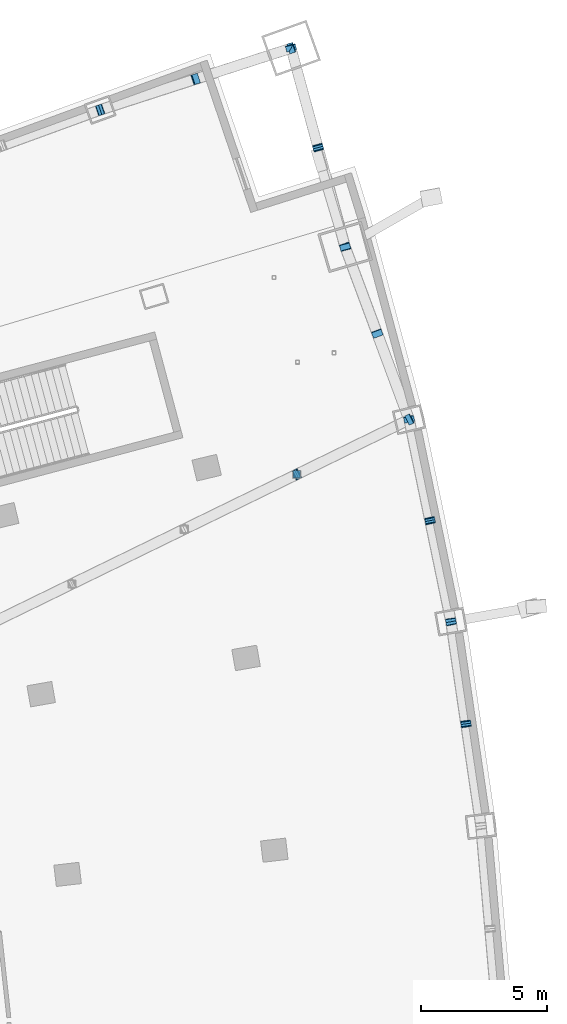
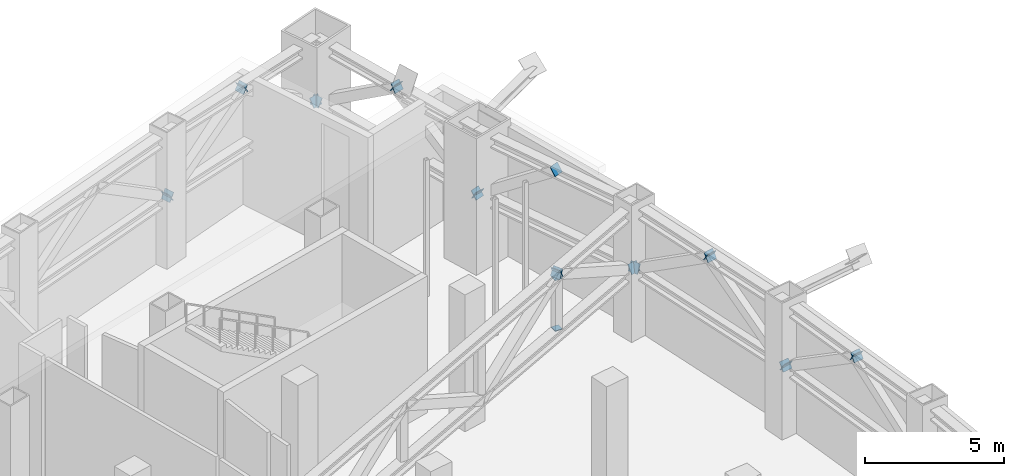
# One storey, part 25 of 26: 23 discrete accessories.
"""IFC4 building model written with IfcOpenShell, lengths in metres."""

import ifcopenshell
import ifcopenshell.guid

model = None  # the IFC model being written
_history = None  # IfcOwnerHistory: only IFC2X3 demands one
_inside = {}  # id of a spatial element -> (the spatial element, [elements in it])
_under = {}  # id of a project, library or spatial element -> (it, [spatial elements below it])
_declared = {}  # id of a project -> (the project, [libraries it declares])
_typed = {}  # id of a type object -> (the type object, [elements of that type])
_made_of = {}  # id of a material, layer set ... -> (it, [elements and type objects made of it])


def new_model(schema):
    """Start an empty IFC model of exactly this schema.

    Asked for "IFC4X3", IfcOpenShell would pick the latest addendum, in which some entities
    have other attributes; the version numbers below select the first issue.
    IFC2X3 requires an IfcOwnerHistory on every rooted entity: one is made here for all.
    """
    global model, _history
    if schema == "IFC4X3":
        model = ifcopenshell.file(schema_version=(4, 3, 0, 0))
    else:
        model = ifcopenshell.file(schema=schema)
    _inside.clear()
    _under.clear()
    _declared.clear()
    _typed.clear()
    _made_of.clear()
    _history = None
    if model.schema == "IFC2X3":
        org = make("IfcOrganization", Name="unknown")
        user = make(
            "IfcPersonAndOrganization",
            ThePerson=make("IfcPerson", FamilyName="unknown"),
            TheOrganization=org,
        )
        app = make(
            "IfcApplication",
            ApplicationDeveloper=org,
            Version="unknown",
            ApplicationFullName="unknown",
            ApplicationIdentifier="unknown",
        )
        _history = make(
            "IfcOwnerHistory",
            OwningUser=user,
            OwningApplication=app,
            ChangeAction="ADDED",
            CreationDate=0,
        )
    return model


def make(cls, **values):
    """One entity of the class cls with the attributes given. An attribute that is None is left unset."""
    return model.create_entity(
        cls, **{name: value for name, value in values.items() if value is not None}
    )


def rooted(cls, **values):
    """An entity with a GlobalId (a new one), such as an element, a storey or a relation."""
    return make(cls, GlobalId=ifcopenshell.guid.new(), OwnerHistory=_history, **values)


def si_unit(unit_type, name, prefix=None):
    """IfcSIUnit, for example si_unit("LENGTHUNIT", "METRE", prefix="MILLI")."""
    return make("IfcSIUnit", UnitType=unit_type, Prefix=prefix, Name=name)


def assignment(units):
    """IfcUnitAssignment: the units of a project."""
    return None if units is None else make("IfcUnitAssignment", Units=units)


def point(xyz):
    """IfcCartesianPoint."""
    return None if xyz is None else make("IfcCartesianPoint", Coordinates=xyz)


def direction(xyz):
    """IfcDirection."""
    return None if xyz is None else make("IfcDirection", DirectionRatios=xyz)


def frame(location, z_axis=None, x_axis=None):
    """IfcAxis2Placement3D, a coordinate frame: its origin and axes. An axis left out is left unset."""
    return make(
        "IfcAxis2Placement3D",
        Location=point(location),
        Axis=direction(z_axis),
        RefDirection=direction(x_axis),
    )


def frame_2d(location, x_axis=None):
    """IfcAxis2Placement2D, a coordinate frame in the plane: its origin and x axis."""
    return make(
        "IfcAxis2Placement2D", Location=point(location), RefDirection=direction(x_axis)
    )


def origin():
    """The frame at (0, 0, 0) with its axes left unset."""
    return frame((0.0, 0.0, 0.0))


def origin_2d():
    """The frame at (0, 0) in the plane with its x axis left unset."""
    return frame_2d((0.0, 0.0))


def place(relative_to, where):
    """IfcLocalPlacement: puts the frame where relative to a parent placement (None: the world)."""
    return make(
        "IfcLocalPlacement", PlacementRelTo=relative_to, RelativePlacement=where
    )


def context(
    kind, dimensions, precision=None, world=None, true_north=None, identifier=None
):
    """IfcGeometricRepresentationContext, for example the 3D "Model" context."""
    return make(
        "IfcGeometricRepresentationContext",
        ContextIdentifier=identifier,
        ContextType=kind,
        CoordinateSpaceDimension=dimensions,
        Precision=precision,
        WorldCoordinateSystem=world,
        TrueNorth=true_north,
    )


def subcontext(parent, identifier, kind, view, scale=None):
    """IfcGeometricRepresentationSubContext, for example "Body" below "Model"."""
    return make(
        "IfcGeometricRepresentationSubContext",
        ContextIdentifier=identifier,
        ContextType=kind,
        ParentContext=parent,
        TargetScale=scale,
        TargetView=view,
    )


def project(units=None, contexts=None):
    """IfcProject with its units and contexts."""
    return rooted(
        "IfcProject",
        Name="project",
        RepresentationContexts=contexts,
        UnitsInContext=assignment(units),
    )


def spatial(cls, under=None, at=None, **own):
    """A site, building, storey or space (cls), placed at a placement, below another one or the project."""
    s = rooted(cls, ObjectPlacement=at, **own)
    if under is not None:
        _under.setdefault(under.id(), (under, []))[1].append(s)
    return s


def profile(cls, at=None, kind="AREA", **sizes):
    """A parametric profile (cls). Its sizes go by their IFC names, for example OverallWidth=200.0."""
    return make(cls, ProfileType=kind, Position=at, **sizes)


def rectangle(**sizes):
    """IfcRectangleProfileDef."""
    return profile("IfcRectangleProfileDef", **sizes)


def extrude(swept, where, along, depth):
    """IfcExtrudedAreaSolid: the profile swept, set in the frame where, extruded along a direction by depth."""
    return make(
        "IfcExtrudedAreaSolid",
        SweptArea=swept,
        Position=where,
        ExtrudedDirection=direction(along),
        Depth=depth,
    )


def shape(context_of_items, identifier, shape_type, items):
    """IfcShapeRepresentation: the items that make up one representation, for example the "Body"."""
    return make(
        "IfcShapeRepresentation",
        ContextOfItems=context_of_items,
        RepresentationIdentifier=identifier,
        RepresentationType=shape_type,
        Items=items,
    )


def material(Name=None, Category=None):
    """IfcMaterial."""
    return make("IfcMaterial", Name=Name, Category=Category)


def material_profile(
    of_material, cross_section, Name=None, Category=None, Priority=None
):
    """IfcMaterialProfile: a cross section and its material."""
    return make(
        "IfcMaterialProfile",
        Name=Name,
        Material=of_material,
        Profile=cross_section,
        Priority=Priority,
        Category=Category,
    )


def profile_set(profiles, Name=None, composite=None):
    """IfcMaterialProfileSet."""
    return make(
        "IfcMaterialProfileSet",
        Name=Name,
        MaterialProfiles=profiles,
        CompositeProfile=composite,
    )


def made_of(thing, what):
    """Note that an element or type object is made of a material, layer set ...; save() writes the relation."""
    if what is not None:
        _made_of.setdefault(what.id(), (what, []))[1].append(thing)
    return thing


def type_object(cls, material=None, **own):
    """A type object (cls), such as IfcWallType, which elements share."""
    return made_of(rooted(cls, **own), material)


def element(
    cls,
    number,
    at=None,
    inside=None,
    cuts=None,
    type_object=None,
    material=None,
    context=None,
    identifier="Body",
    shape_type=None,
    held_by="IfcProductDefinitionShape",
    body=None,
    shapes=None,
    **own,
):
    """One element of the class cls, such as IfcWall. Its Tag is "e" and its number.

    at: its placement. inside: the storey or other place that contains it. cuts: it is an
    opening in that element (IfcRelVoidsElement). A single representation is given by context,
    identifier, shape_type and body (its items); several are given by shapes. held_by: the class
    of the entity that holds the representations. save() writes the other relations.
    """
    e = rooted(cls, Tag="e%d" % number, ObjectPlacement=at, **own)
    if body is not None:
        shapes = [shape(context, identifier, shape_type, body)]
    if shapes is not None:
        e.Representation = make(held_by, Representations=shapes)
    if inside is not None:
        _inside.setdefault(inside.id(), (inside, []))[1].append(e)
    if cuts is not None:
        rooted(
            "IfcRelVoidsElement", RelatingBuildingElement=cuts, RelatedOpeningElement=e
        )
    if type_object is not None:
        _typed.setdefault(type_object.id(), (type_object, []))[1].append(e)
    return made_of(e, material)


def aggregate(whole, parts):
    """IfcRelAggregates: a whole, such as a stair, and the parts it consists of."""
    return rooted("IfcRelAggregates", RelatingObject=whole, RelatedObjects=parts)


def save(model, path):
    """Write the relations noted so far, then the file.

    IfcRelAggregates (storeys below a building ...), IfcRelContainedInSpatialStructure (elements
    in a storey), IfcRelDefinesByType, IfcRelAssociatesMaterial and IfcRelDeclares: one each for
    every whole, place, type object, material and project.
    """
    for whole, parts in _under.values():
        aggregate(whole, parts)
    for where, things in _inside.values():
        rooted(
            "IfcRelContainedInSpatialStructure",
            RelatedElements=things,
            RelatingStructure=where,
        )
    for kind, things in _typed.values():
        rooted("IfcRelDefinesByType", RelatedObjects=things, RelatingType=kind)
    for what, things in _made_of.values():
        rooted("IfcRelAssociatesMaterial", RelatedObjects=things, RelatingMaterial=what)
    for by, libraries in _declared.values():
        rooted("IfcRelDeclares", RelatingContext=by, RelatedDefinitions=libraries)
    model.write(path)


model = new_model("IFC4")

# Units and contexts
model_context = context("Model", 3, precision=1e-05, world=origin(), true_north=direction((0.0, 1.0)))
body_context = subcontext(model_context, "Body", "Model", "MODEL_VIEW")
ifc_project = project(units=[si_unit("LENGTHUNIT", "METRE"), si_unit("AREAUNIT", "SQUARE_METRE"), si_unit("VOLUMEUNIT", "CUBIC_METRE"), si_unit("PLANEANGLEUNIT", "RADIAN"), si_unit("MASSUNIT", "GRAM", prefix="KILO")], contexts=[model_context])

# Site, building, storey
site_placement = place(None, origin())
site = spatial("IfcSite", under=ifc_project, at=site_placement, CompositionType="ELEMENT")
building_placement = place(site_placement, origin())
building = spatial("IfcBuilding", under=site, at=building_placement, Name="Alderwake Tower", CompositionType="ELEMENT")
storey_placement = place(building_placement, frame((0.0, 0.0, 132.800048828125)))
storey = spatial("IfcBuildingStorey", under=building, at=storey_placement, Name="L32", CompositionType="ELEMENT", Elevation=132.800048828125)

# Discrete accessories
ifc_material_1 = material(Name="Steel ASTM A572 Grade 50", Category="steel")
ifc_material_profile_1 = material_profile(ifc_material_1, rectangle(XDim=0.3046875, YDim=0.3046875, at=origin_2d()), Name="HSS12X12X1/2 cap")
ifc_profile_set_1 = profile_set([ifc_material_profile_1], Name="Steel ASTM A572 Grade 50")
discrete_accessory_type_1 = type_object("IfcDiscreteAccessoryType", Name="End cap plate HSS12X12X1/2", PredefinedType="USERDEFINED", material=ifc_profile_set_1)
for number, where, z_axis, x_axis, name in (
    (1, (52.323974609375, 91.332763671875, 3.0146484375), (0.0, 0.0, -1.0), (1.0, 0.0, 0.0), "End cap OR32NF.P5 S"),
    (2, (52.323974609375, 91.332763671875, 5.21533203125), (0.0, 0.0, 1.0), (1.0, 0.0, 0.0), "End cap OR32NF.P5 N"),
):
    element("IfcDiscreteAccessory", number, at=place(storey_placement, frame(where, z_axis=z_axis, x_axis=x_axis)), inside=storey, type_object=discrete_accessory_type_1, Name=name, ObjectType="END CAP", PredefinedType="USERDEFINED", context=body_context, shape_type="SweptSolid", body=[
        extrude(rectangle(XDim=0.3046875, YDim=0.3046875, at=origin_2d()), origin(), (0.0, 0.0, 1.0), 0.030029296875),
    ])
ifc_material_2 = material(Name="Steel ASTM A572 Grade 50", Category="steel")
ifc_material_profile_2 = material_profile(ifc_material_2, rectangle(XDim=0.406494140625, YDim=0.406494140625, at=origin_2d()), Name="HSS16X16X5/8 cap")
ifc_profile_set_2 = profile_set([ifc_material_profile_2], Name="Steel ASTM A572 Grade 50")
discrete_accessory_type_2 = type_object("IfcDiscreteAccessoryType", Name="End cap plate HSS16X16X5/8", PredefinedType="USERDEFINED", material=ifc_profile_set_2)
for number, where, z_axis, x_axis, name in (
    (3, (59.04833984375, 81.4228515625, 5.44775390625), (-0.121995577876, 0.829569929557, 0.544913581179), (-0.989359135365, -0.145493990495, 0.0), "End cap BT32F09.D1 N"),
    (4, (58.45263671875, 85.4794921875, 2.7822265625), (-0.121995577876, 0.829569929557, -0.544913581179), (-0.989359135365, -0.145493990495, 0.0), "End cap BT32F09.D2 S"),
    (5, (59.04833984375, 81.4228515625, 5.44775390625), (0.121995577876, -0.829569929557, 0.544913581179), (0.989359135365, 0.145493990495, 0.0), "End cap BT32F09.D2 N"),
):
    element("IfcDiscreteAccessory", number, at=place(storey_placement, frame(where, z_axis=z_axis, x_axis=x_axis)), inside=storey, type_object=discrete_accessory_type_2, Name=name, ObjectType="END CAP", PredefinedType="USERDEFINED", context=body_context, shape_type="SweptSolid", body=[
        extrude(rectangle(XDim=0.406494140625, YDim=0.406494140625, at=origin_2d()), origin(), (0.0, 0.0, 1.0), 0.030029296875),
    ])
discrete_accessory_1_placement = place(storey_placement, frame((58.45263671875, 85.4794921875, 2.7822265625), z_axis=(0.171865771079, -0.81840843371, -0.548333650585), x_axis=(0.978653496602, 0.205517234286, 0.0)))
element("IfcDiscreteAccessory", 6, at=discrete_accessory_1_placement, inside=storey, type_object=discrete_accessory_type_2, Name="End cap BT32F10.D1 S", ObjectType="END CAP", PredefinedType="USERDEFINED", context=body_context, shape_type="SweptSolid", body=[
    extrude(rectangle(XDim=0.406494140625, YDim=0.406494140625, at=origin_2d()), origin(), (0.0, 0.0, 1.0), 0.02978515625),
])
for number, where, z_axis, x_axis, name in (
    (7, (57.621337890625, 89.49462890625, 5.44775390625), (-0.170720423374, 0.821083940987, 0.544679446001), (-0.979060989404, -0.203567136411, 0.0), "End cap BT32F10.D1 N"),
    (8, (56.789794921875, 93.509765625, 2.7822265625), (-0.162811611813, 0.822198639654, -0.545418899572), (-0.98095245073, -0.194248010046, 0.0), "End cap BT32F10.D2 S"),
):
    element("IfcDiscreteAccessory", number, at=place(storey_placement, frame(where, z_axis=z_axis, x_axis=x_axis)), inside=storey, type_object=discrete_accessory_type_2, Name=name, ObjectType="END CAP", PredefinedType="USERDEFINED", context=body_context, shape_type="SweptSolid", body=[
        extrude(rectangle(XDim=0.406494140625, YDim=0.406494140625, at=origin_2d()), origin(), (0.0, 0.0, 1.0), 0.030029296875),
    ])
for number, where, z_axis, x_axis, name in (
    (9, (57.621337890625, 89.49462890625, 5.44775390625), (0.171865771079, -0.81840843371, 0.548333650585), (0.978653496602, 0.205517234286, 0.0), "End cap BT32F10.D2 N"),
    (10, (54.246826171875, 100.3671875, 2.7822265625), (-0.277710683441, 0.759620398824, -0.588093211993), (-0.939202304561, -0.343364283388, 0.0), "End cap BT32F11.D2 S"),
):
    element("IfcDiscreteAccessory", number, at=place(storey_placement, frame(where, z_axis=z_axis, x_axis=x_axis)), inside=storey, type_object=discrete_accessory_type_2, Name=name, ObjectType="END CAP", PredefinedType="USERDEFINED", context=body_context, shape_type="SweptSolid", body=[
        extrude(rectangle(XDim=0.406494140625, YDim=0.406494140625, at=origin_2d()), origin(), (0.0, 0.0, 1.0), 0.02978515625),
    ])
for number, where, z_axis, x_axis, name in (
    (11, (55.518310546875, 96.9384765625, 5.44775390625), (0.285222904398, -0.757878003115, 0.586744260476), (0.935914955392, 0.352226058481, 0.0), "End cap BT32F11.D2 N"),
    (12, (54.246826171875, 100.3671875, 2.7822265625), (0.218869363169, -0.810627270994, -0.543120271566), (0.965429082558, 0.260665852291, 0.0), "End cap BT32F12.D1 S"),
    (13, (53.173095703125, 104.315673828125, 5.44775390625), (-0.220314588435, 0.807820157596, 0.546706571302), (-0.964763821238, -0.263117405792, 0.0), "End cap BT32F12.D1 N"),
    (14, (52.09912109375, 108.263916015625, 2.7822265625), (-0.218869363169, 0.810627270994, -0.543120271566), (-0.965429082558, -0.260665852291, 0.0), "End cap BT32F12.D2 S"),
    (15, (53.173095703125, 104.315673828125, 5.44775390625), (0.218869363169, -0.810627270994, 0.543120271566), (0.965429082558, 0.260665852291, 0.0), "End cap BT32F12.D2 N"),
    (16, (44.514892578125, 105.812744140625, 2.7822265625), (0.788774311428, 0.284609287629, -0.544823493461), (-0.339406156989, 0.940639920798, 0.0), "End cap BT32E133.D2 S"),
    (17, (44.514892578125, 105.812744140625, 2.7822265625), (-0.790501155455, -0.260783886336, -0.554165758463), (0.313289164578, -0.949657780128, 0.0), "End cap BT32E134.D1 S"),
    (18, (48.306884765625, 107.038330078125, 5.44775390625), (0.793528770608, 0.259111435301, 0.550611800014), (-0.310401781711, 0.950605456491, 0.0), "End cap BT32E134.D1 N"),
    (19, (52.09912109375, 108.263916015625, 2.7822265625), (0.790501155455, 0.260783886336, -0.554165758463), (-0.313289164578, 0.949657780128, 0.0), "End cap BT32E134.D2 S"),
):
    element("IfcDiscreteAccessory", number, at=place(storey_placement, frame(where, z_axis=z_axis, x_axis=x_axis)), inside=storey, type_object=discrete_accessory_type_2, Name=name, ObjectType="END CAP", PredefinedType="USERDEFINED", context=body_context, shape_type="SweptSolid", body=[
        extrude(rectangle(XDim=0.406494140625, YDim=0.406494140625, at=origin_2d()), origin(), (0.0, 0.0, 1.0), 0.030029296875),
    ])
discrete_accessory_2_placement = place(storey_placement, frame((48.306884765625, 107.038330078125, 5.44775390625), z_axis=(-0.792160131373, -0.253164578068, 0.55532875189), x_axis=(0.304419392988, -0.952538100641, 0.0)))
element("IfcDiscreteAccessory", 20, at=discrete_accessory_2_placement, inside=storey, type_object=discrete_accessory_type_2, Name="End cap BT32E134.D2 N", ObjectType="END CAP", PredefinedType="USERDEFINED", context=body_context, shape_type="SweptSolid", body=[
    extrude(rectangle(XDim=0.406494140625, YDim=0.406494140625, at=origin_2d()), origin(), (0.0, 0.0, 1.0), 0.02978515625),
])
discrete_accessory_3_placement = place(storey_placement, frame((52.323974609375, 91.332763671875, 5.44775390625), z_axis=(0.789976672146, 0.390916291371, 0.472357185407), x_axis=(-0.443513828814, 0.896267529062, 0.0)))
element("IfcDiscreteAccessory", 21, at=discrete_accessory_3_placement, inside=storey, type_object=discrete_accessory_type_2, Name="End cap OR32NF.D5 N", ObjectType="END CAP", PredefinedType="USERDEFINED", context=body_context, shape_type="SweptSolid", body=[
    extrude(rectangle(XDim=0.406494140625, YDim=0.406494140625, at=origin_2d()), origin(), (0.0, 0.0, 1.0), 0.030029296875),
])
discrete_accessory_4_placement = place(storey_placement, frame((56.789794921875, 93.509765625, 2.7822265625), z_axis=(0.79300900323, 0.388412573011, -0.469331859054), x_axis=(-0.43986744881, 0.898062707987, 0.0)))
element("IfcDiscreteAccessory", 22, at=discrete_accessory_4_placement, inside=storey, type_object=discrete_accessory_type_2, Name="End cap OR32NF.D6 S", ObjectType="END CAP", PredefinedType="USERDEFINED", context=body_context, shape_type="SweptSolid", body=[
    extrude(rectangle(XDim=0.406494140625, YDim=0.406494140625, at=origin_2d()), origin(), (0.0, 0.0, 1.0), 0.0302734375),
])
discrete_accessory_5_placement = place(storey_placement, frame((52.323974609375, 91.332763671875, 5.44775390625), z_axis=(-0.795487040134, -0.381509090676, 0.470798452324), x_axis=(0.432431931953, -0.901666581519, 0.0)))
element("IfcDiscreteAccessory", 23, at=discrete_accessory_5_placement, inside=storey, type_object=discrete_accessory_type_2, Name="End cap OR32NF.D6 N", ObjectType="END CAP", PredefinedType="USERDEFINED", context=body_context, shape_type="SweptSolid", body=[
    extrude(rectangle(XDim=0.406494140625, YDim=0.406494140625, at=origin_2d()), origin(), (0.0, 0.0, 1.0), 0.030029296875),
])

save(model, "model.ifc")
